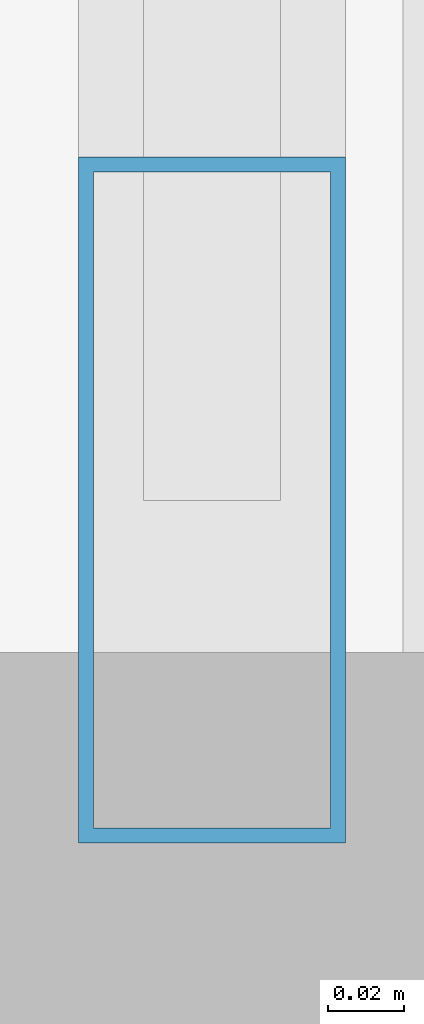
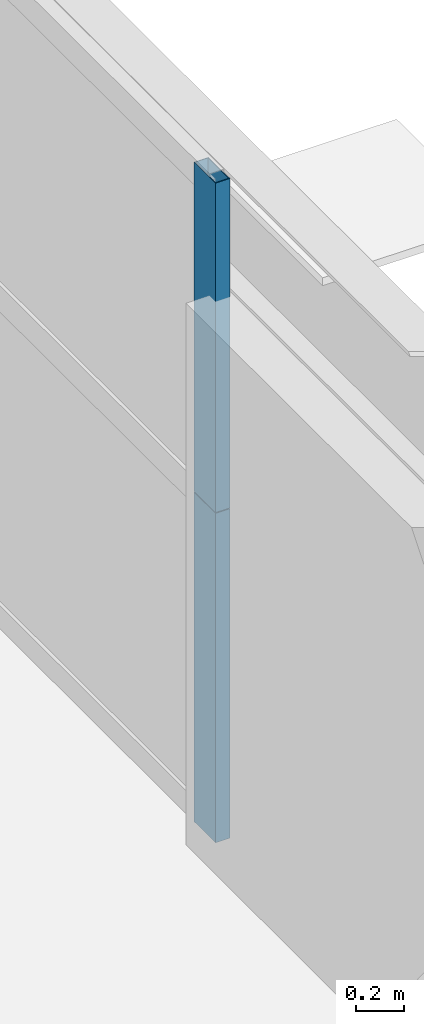
# One storey, part 18 of 45: 2 members, 1 element without a shape of its own.
"""IFC4 building model written with IfcOpenShell, lengths in metres."""

from ifc_helpers import new_model, si_unit, direction, frame, origin, origin_2d, place, context, subcontext, project, spatial, hollow_rectangle, extrude, source, transform, mapped, material, layer, layer_set, material_profile, profile_set, type_object, element, aggregate, save


model = new_model("IFC4")

# Units and contexts
model_context = context("Model", 3, precision=1e-05, world=origin(), true_north=direction((0.0, 1.0)))
body_context = subcontext(model_context, "Body", "Model", "MODEL_VIEW")
ifc_project = project(units=[si_unit("LENGTHUNIT", "METRE"), si_unit("AREAUNIT", "SQUARE_METRE"), si_unit("VOLUMEUNIT", "CUBIC_METRE"), si_unit("PLANEANGLEUNIT", "RADIAN"), si_unit("MASSUNIT", "GRAM", prefix="KILO"), si_unit("THERMODYNAMICTEMPERATUREUNIT", "KELVIN"), si_unit("POWERUNIT", "WATT")], contexts=[model_context])

# Site, building, storey
site_placement = place(None, origin())
site = spatial("IfcSite", under=ifc_project, at=site_placement, CompositionType="ELEMENT")
building_placement = place(site_placement, origin())
building = spatial("IfcBuilding", under=site, at=building_placement, Name="Yuzanri Waterfront Tower", CompositionType="ELEMENT")
storey_placement = place(building_placement, frame((0.0, 0.0, 49.60009765625)))
storey = spatial("IfcBuildingStorey", under=building, at=storey_placement, Name="L12", CompositionType="ELEMENT", Elevation=49.60009765625)

# Curtain wall, members
ifc_material_1 = material(Name="Anodized Architectural Bronze", Category="metal")
ifc_layer = layer(ifc_material_1, 0.159912109375)
ifc_layer_set = layer_set([ifc_layer], Name="Anodized Architectural Bronze")
curtain_wall_type = type_object("IfcCurtainWallType", Name="Anodized Bronze Hotel Lower-Tier Recessed Unitized Curtain Wall 8100", PredefinedType="NOTDEFINED", material=ifc_layer_set)
curtain_wall_placement = place(storey_placement, origin())
curtain_wall = element("IfcCurtainWall", 1, at=curtain_wall_placement, inside=storey, type_object=curtain_wall_type, Name="L12 Curtain Wall CW-L12-EL", PredefinedType="NOTDEFINED")
ifc_material_2 = material(Name="Anodized Architectural Bronze", Category="metal")
ifc_material_profile = material_profile(ifc_material_2, hollow_rectangle(XDim=0.070068359375, YDim=0.179931640625, WallThickness=0.00390625, at=origin_2d()), Name="CWM 70x180")
ifc_profile_set = profile_set([ifc_material_profile], Name="Anodized Architectural Bronze")
member_type = type_object("IfcMemberType", Name="Anodized Bronze Standard Curtain-Wall Mullion 70x180", PredefinedType="MULLION", material=ifc_profile_set)
shared_shape = source(origin(), body_context, "Body", "SweptSolid", [
    extrude(hollow_rectangle(XDim=0.070068359375, YDim=0.179931640625, WallThickness=0.00390625, at=origin_2d()), origin(), (0.0, 0.0, 1.0), 1.68798828125),
])
member_1_placement = place(storey_placement, frame((61.949951171875, 8.090087890625, 0.0), z_axis=(0.0, 0.0, 1.0), x_axis=(1.0, 0.0, 0.0)))
member_1 = element("IfcMember", 2, at=member_1_placement, type_object=member_type, Name="CW-L12-EL Lower Mullion 00", PredefinedType="MULLION", context=body_context, shape_type="MappedRepresentation", body=[
    mapped(shared_shape, transform((0.0, 0.0, 0.0), scale=1.0)),
])
member_2_placement = place(storey_placement, frame((61.949951171875, 8.090087890625, 1.69189453125), z_axis=(0.0, 0.0, 1.0), x_axis=(1.0, 0.0, 0.0)))
member_2 = element("IfcMember", 3, at=member_2_placement, type_object=member_type, Name="CW-L12-EL Upper Mullion 00", PredefinedType="MULLION", context=body_context, shape_type="MappedRepresentation", body=[
    mapped(shared_shape, transform((0.0, 0.0, 0.0), scale=1.0)),
])
aggregate(curtain_wall, [member_1, member_2])

save(model, "model.ifc")
